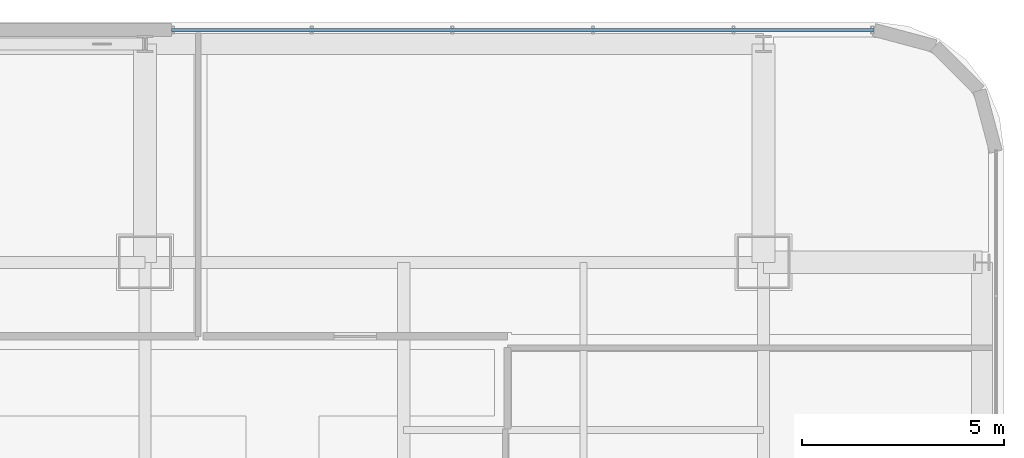
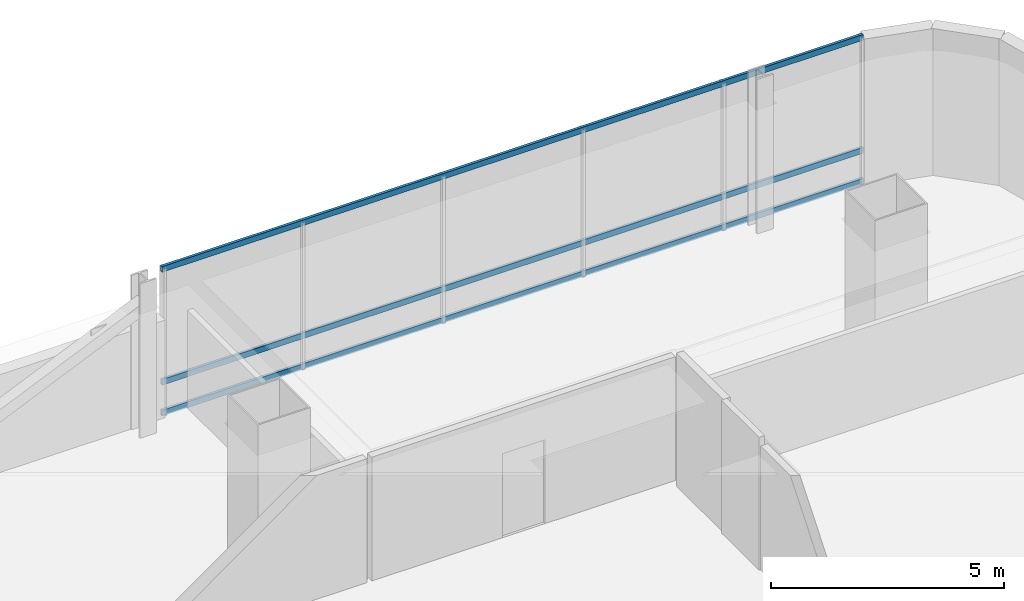
# One storey, part 27 of 44: 3 members, 1 element without a shape of its own.
"""IFC4 building model written with IfcOpenShell, lengths in metres."""

from ifc_helpers import new_model, si_unit, direction, frame, origin, origin_2d, place, context, subcontext, project, spatial, hollow_rectangle, extrude, material, material_profile, profile_set, type_object, element, aggregate, save


model = new_model("IFC4")

# Units and contexts
model_context = context("Model", 3, precision=1e-05, world=origin(), true_north=direction((0.0, 1.0)))
body_context = subcontext(model_context, "Body", "Model", "MODEL_VIEW")
ifc_project = project(units=[si_unit("LENGTHUNIT", "METRE"), si_unit("AREAUNIT", "SQUARE_METRE"), si_unit("VOLUMEUNIT", "CUBIC_METRE"), si_unit("PLANEANGLEUNIT", "RADIAN"), si_unit("MASSUNIT", "GRAM", prefix="KILO")], contexts=[model_context])

# Site, building, storey
site_placement = place(None, origin())
site = spatial("IfcSite", under=ifc_project, at=site_placement, CompositionType="ELEMENT")
building_placement = place(site_placement, origin())
building = spatial("IfcBuilding", under=site, at=building_placement, Name="Punatoya Terracotta Tower", CompositionType="ELEMENT")
storey_placement = place(building_placement, frame((0.0, 0.0, 267.60009765625)))
storey = spatial("IfcBuildingStorey", under=building, at=storey_placement, Name="L63", CompositionType="ELEMENT", Elevation=267.60009765625)

# Curtain wall, members
ifc_material_1 = material(Name="Aluminium 6063-T6 + Double Low-E Glass", Category="aluminium")
curtain_wall_type = type_object("IfcCurtainWallType", Name="CW-M3", PredefinedType="NOTDEFINED", material=ifc_material_1)
curtain_wall_placement = place(storey_placement, origin())
curtain_wall = element("IfcCurtainWall", 1, at=curtain_wall_placement, inside=storey, type_object=curtain_wall_type, Name="L63 Curtain Wall CW-L63-N09-1", PredefinedType="NOTDEFINED")
ifc_material_2 = material(Name="Aluminium 6063-T6", Category="aluminium")
ifc_material_profile = material_profile(ifc_material_2, hollow_rectangle(XDim=0.068115234375, YDim=0.14990234375, WallThickness=0.00390625, at=origin_2d()))
ifc_profile_set = profile_set([ifc_material_profile], Name="Aluminium 6063-T6")
member_type = type_object("IfcMemberType", Name="CW-TRN-TYP", PredefinedType="USERDEFINED", material=ifc_profile_set)
member_1_placement = place(storey_placement, frame((21.8369140625, 23.25, 0.039794921875), z_axis=(-1.0, 0.0, 0.0), x_axis=(0.0, -1.0, 0.0)))
member_1 = element("IfcMember", 2, at=member_1_placement, type_object=member_type, Name="CW-L63-N09-1 Transom 1", ObjectType="TRANSOM", PredefinedType="USERDEFINED", context=body_context, shape_type="SweptSolid", body=[
    extrude(hollow_rectangle(XDim=0.068115234375, YDim=0.14990234375, WallThickness=0.00390625, at=origin_2d()), origin(), (0.0, 0.0, 1.0), 17.386962890625),
])
member_2_placement = place(storey_placement, frame((21.8369140625, 23.25, 0.849853515625), z_axis=(-1.0, 0.0, 0.0), x_axis=(0.0, -1.0, 0.0)))
member_2 = element("IfcMember", 3, at=member_2_placement, type_object=member_type, Name="CW-L63-N09-1 Transom 2", ObjectType="TRANSOM", PredefinedType="USERDEFINED", context=body_context, shape_type="SweptSolid", body=[
    extrude(hollow_rectangle(XDim=0.068115234375, YDim=0.14990234375, WallThickness=0.00390625, at=origin_2d()), origin(), (0.0, 0.0, 1.0), 17.386962890625),
])
member_3_placement = place(storey_placement, frame((21.8369140625, 23.25, 3.809814453125), z_axis=(-1.0, 0.0, 0.0), x_axis=(0.0, -1.0, 0.0)))
member_3 = element("IfcMember", 4, at=member_3_placement, type_object=member_type, Name="CW-L63-N09-1 Transom 3", ObjectType="TRANSOM", PredefinedType="USERDEFINED", context=body_context, shape_type="SweptSolid", body=[
    extrude(hollow_rectangle(XDim=0.068115234375, YDim=0.14990234375, WallThickness=0.00390625, at=origin_2d()), origin(), (0.0, 0.0, 1.0), 17.386962890625),
])
aggregate(curtain_wall, [member_1, member_2, member_3])

save(model, "model.ifc")
